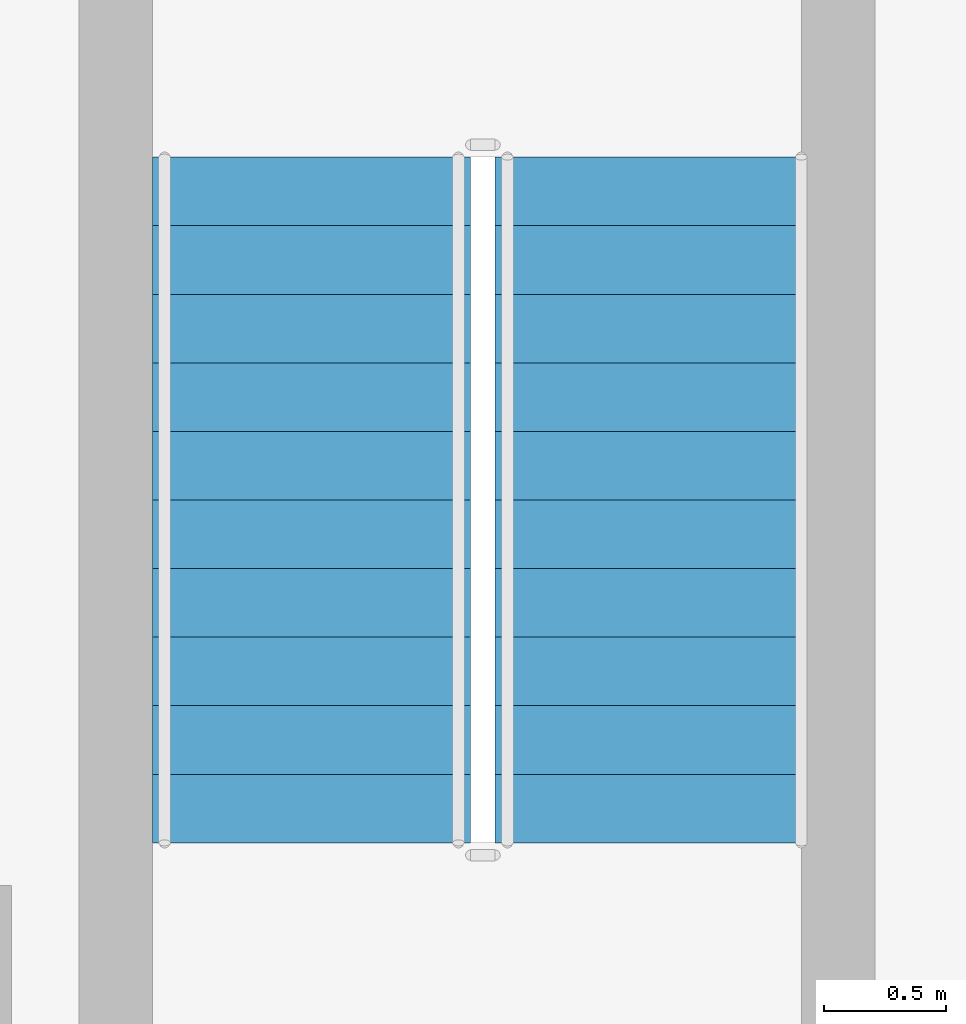
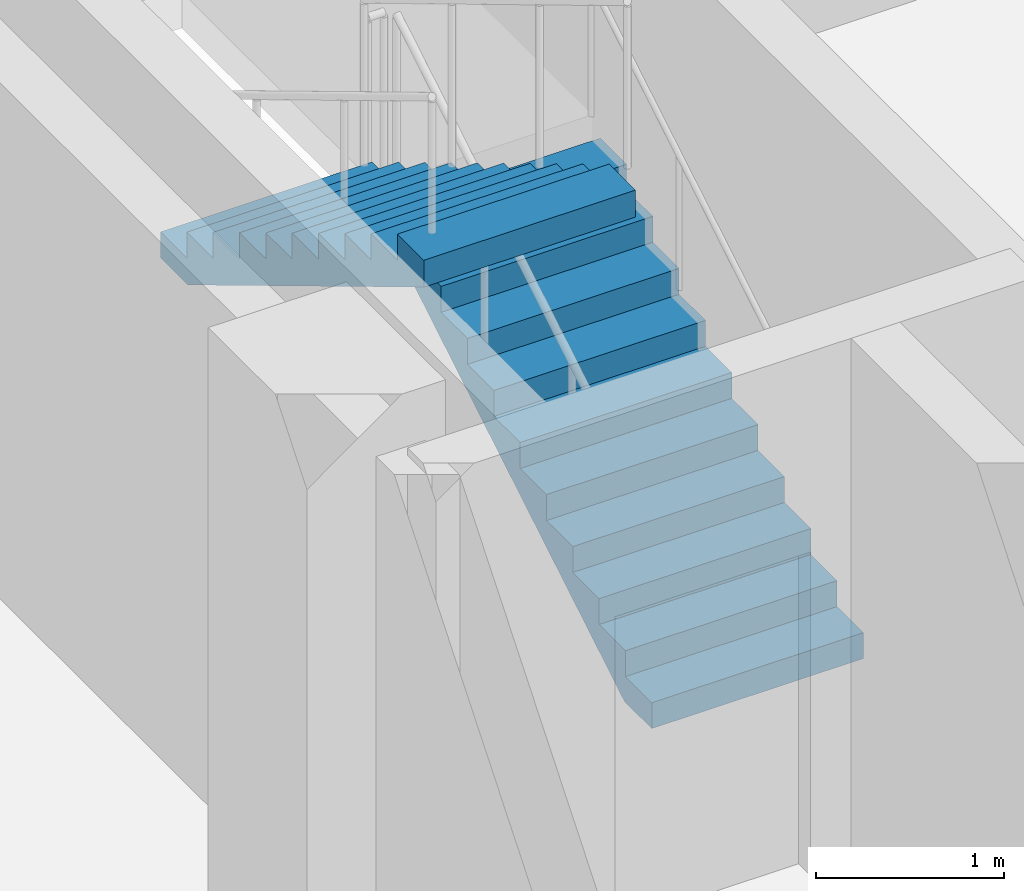
# One storey, part 16 of 22: 2 stair flights, 1 element without a shape of its own.
"""IFC4 building model written with IfcOpenShell, lengths in metres."""

from ifc_helpers import new_model, si_unit, direction, frame, origin, place, context, subcontext, project, spatial, triangles, source, transform, mapped, material, type_object, element, aggregate, save


model = new_model("IFC4")

# Units and contexts
model_context = context("Model", 3, precision=1e-05, world=origin(), true_north=direction((0.0, 1.0)))
body_context = subcontext(model_context, "Body", "Model", "MODEL_VIEW")
ifc_project = project(units=[si_unit("LENGTHUNIT", "METRE"), si_unit("AREAUNIT", "SQUARE_METRE"), si_unit("VOLUMEUNIT", "CUBIC_METRE"), si_unit("PLANEANGLEUNIT", "RADIAN"), si_unit("MASSUNIT", "GRAM", prefix="KILO")], contexts=[model_context])

# Site, building, storey
site_placement = place(None, origin())
site = spatial("IfcSite", under=ifc_project, at=site_placement, CompositionType="ELEMENT")
building_placement = place(site_placement, origin())
building = spatial("IfcBuilding", under=site, at=building_placement, Name="Ogive Portal Towers", CompositionType="ELEMENT")
storey_placement = place(building_placement, frame((0.0, 0.0, 131.5)))
storey = spatial("IfcBuildingStorey", under=building, at=storey_placement, Name="L32", CompositionType="ELEMENT", Elevation=131.5)

# Stair, stair flights
ifc_material = material(Name="Concrete C40/50", Category="concrete")
stair_type = type_object("IfcStairType", Name="INT-STAIR", PredefinedType="HALF_TURN_STAIR", material=ifc_material)
stair_placement = place(storey_placement, origin())
stair = element("IfcStair", 1, at=stair_placement, inside=storey, type_object=stair_type, Name="L32 Exit Stair ST-A3", PredefinedType="HALF_TURN_STAIR")
stair_flight_type = type_object("IfcStairFlightType", Name="INT-FLIGHT", PredefinedType="STRAIGHT", material=ifc_material)
shared_shape = source(origin(), body_context, "Body", "Tessellation", [
    triangles([(0.0, -0.650146484375, 0.0), (0.0, -0.376220703125, 0.0), (0.0, -0.192626953125, 0.0), (0.0, -0.081298828125, 0.0), (0.0, -0.024169921875, 0.0), (0.0, -0.003173828125, 0.0), (0.0, 0.0, 0.0), (0.0, 0.0029296875, 0.0), (0.0, 0.02392578125, 0.0), (0.0, 0.0810546875, 0.0), (0.0, 0.1923828125, 0.0), (0.0, 0.3759765625, 0.0), (0.0, 0.64990234375, 0.0), (0.0, -0.650146484375, 0.168212890625), (0.0, -0.376220703125, 0.168212890625), (0.0, -0.192626953125, 0.168212890625), (0.0, -0.081298828125, 0.168212890625), (0.0, -0.024169921875, 0.168212890625), (0.0, -0.003173828125, 0.168212890625), (0.0, 0.0, 0.168212890625), (0.0, 0.0029296875, 0.168212890625), (0.0, 0.02392578125, 0.168212890625), (0.0, 0.0810546875, 0.168212890625), (0.0, 0.1923828125, 0.168212890625), (0.0, 0.3759765625, 0.168212890625), (0.0, 0.64990234375, 0.168212890625), (0.280029296875, -0.650146484375, 0.168212890625), (0.280029296875, -0.376220703125, 0.168212890625), (0.280029296875, -0.192626953125, 0.168212890625), (0.280029296875, -0.081298828125, 0.168212890625), (0.280029296875, -0.024169921875, 0.168212890625), (0.280029296875, -0.003173828125, 0.168212890625), (0.280029296875, 0.0, 0.168212890625), (0.280029296875, 0.0029296875, 0.168212890625), (0.280029296875, 0.02392578125, 0.168212890625), (0.280029296875, 0.0810546875, 0.168212890625), (0.280029296875, 0.1923828125, 0.168212890625), (0.280029296875, 0.3759765625, 0.168212890625), (0.280029296875, 0.64990234375, 0.168212890625), (0.280029296875, -0.650146484375, 0.33642578125), (0.280029296875, -0.376220703125, 0.33642578125), (0.280029296875, -0.192626953125, 0.33642578125), (0.280029296875, -0.081298828125, 0.33642578125), (0.280029296875, -0.024169921875, 0.33642578125), (0.280029296875, -0.003173828125, 0.33642578125), (0.280029296875, 0.0, 0.33642578125), (0.280029296875, 0.0029296875, 0.33642578125), (0.280029296875, 0.02392578125, 0.33642578125), (0.280029296875, 0.0810546875, 0.33642578125), (0.280029296875, 0.1923828125, 0.33642578125), (0.280029296875, 0.3759765625, 0.33642578125), (0.280029296875, 0.64990234375, 0.33642578125), (0.56005859375, -0.650146484375, 0.33642578125), (0.56005859375, -0.376220703125, 0.33642578125), (0.56005859375, -0.192626953125, 0.33642578125), (0.56005859375, -0.081298828125, 0.33642578125), (0.56005859375, -0.024169921875, 0.33642578125), (0.56005859375, -0.003173828125, 0.33642578125), (0.56005859375, 0.0, 0.33642578125), (0.56005859375, 0.0029296875, 0.33642578125), (0.56005859375, 0.02392578125, 0.33642578125), (0.56005859375, 0.0810546875, 0.33642578125), (0.56005859375, 0.1923828125, 0.33642578125), (0.56005859375, 0.3759765625, 0.33642578125), (0.56005859375, 0.64990234375, 0.33642578125), (0.56005859375, -0.650146484375, 0.504638671875), (0.56005859375, -0.376220703125, 0.504638671875), (0.56005859375, -0.192626953125, 0.504638671875), (0.56005859375, -0.081298828125, 0.504638671875), (0.56005859375, -0.024169921875, 0.504638671875), (0.56005859375, -0.003173828125, 0.504638671875), (0.56005859375, 0.0, 0.504638671875), (0.56005859375, 0.0029296875, 0.504638671875), (0.56005859375, 0.02392578125, 0.504638671875), (0.56005859375, 0.0810546875, 0.504638671875), (0.56005859375, 0.1923828125, 0.504638671875), (0.56005859375, 0.3759765625, 0.504638671875), (0.56005859375, 0.64990234375, 0.504638671875), (0.840087890625, -0.650146484375, 0.504638671875), (0.840087890625, -0.376220703125, 0.504638671875), (0.840087890625, -0.192626953125, 0.504638671875), (0.840087890625, -0.081298828125, 0.504638671875), (0.840087890625, -0.024169921875, 0.504638671875), (0.840087890625, -0.003173828125, 0.504638671875), (0.840087890625, 0.0, 0.504638671875), (0.840087890625, 0.0029296875, 0.504638671875), (0.840087890625, 0.02392578125, 0.504638671875), (0.840087890625, 0.0810546875, 0.504638671875), (0.840087890625, 0.1923828125, 0.504638671875), (0.840087890625, 0.3759765625, 0.504638671875), (0.840087890625, 0.64990234375, 0.504638671875), (0.840087890625, -0.650146484375, 0.672607421875), (0.840087890625, -0.376220703125, 0.672607421875), (0.840087890625, -0.192626953125, 0.672607421875), (0.840087890625, -0.081298828125, 0.672607421875), (0.840087890625, -0.024169921875, 0.672607421875), (0.840087890625, -0.003173828125, 0.672607421875), (0.840087890625, 0.0, 0.672607421875), (0.840087890625, 0.0029296875, 0.672607421875), (0.840087890625, 0.02392578125, 0.672607421875), (0.840087890625, 0.0810546875, 0.672607421875), (0.840087890625, 0.1923828125, 0.672607421875), (0.840087890625, 0.3759765625, 0.672607421875), (0.840087890625, 0.64990234375, 0.672607421875), (1.1201171875, -0.650146484375, 0.672607421875), (1.1201171875, -0.376220703125, 0.672607421875), (1.1201171875, -0.192626953125, 0.672607421875), (1.1201171875, -0.081298828125, 0.672607421875), (1.1201171875, -0.024169921875, 0.672607421875), (1.1201171875, -0.003173828125, 0.672607421875), (1.1201171875, 0.0, 0.672607421875), (1.1201171875, 0.0029296875, 0.672607421875), (1.1201171875, 0.02392578125, 0.672607421875), (1.1201171875, 0.0810546875, 0.672607421875), (1.1201171875, 0.1923828125, 0.672607421875), (1.1201171875, 0.3759765625, 0.672607421875), (1.1201171875, 0.64990234375, 0.672607421875), (1.1201171875, -0.650146484375, 0.8408203125), (1.1201171875, -0.376220703125, 0.8408203125), (1.1201171875, -0.192626953125, 0.8408203125), (1.1201171875, -0.081298828125, 0.8408203125), (1.1201171875, -0.024169921875, 0.8408203125), (1.1201171875, -0.003173828125, 0.8408203125), (1.1201171875, 0.0, 0.8408203125), (1.1201171875, 0.0029296875, 0.8408203125), (1.1201171875, 0.02392578125, 0.8408203125), (1.1201171875, 0.0810546875, 0.8408203125), (1.1201171875, 0.1923828125, 0.8408203125), (1.1201171875, 0.3759765625, 0.8408203125), (1.1201171875, 0.64990234375, 0.8408203125), (1.39990234375, -0.650146484375, 0.8408203125), (1.39990234375, -0.376220703125, 0.8408203125), (1.39990234375, -0.192626953125, 0.8408203125), (1.39990234375, -0.081298828125, 0.8408203125), (1.39990234375, -0.024169921875, 0.8408203125), (1.39990234375, -0.003173828125, 0.8408203125), (1.39990234375, 0.0, 0.8408203125), (1.39990234375, 0.0029296875, 0.8408203125), (1.39990234375, 0.02392578125, 0.8408203125), (1.39990234375, 0.0810546875, 0.8408203125), (1.39990234375, 0.1923828125, 0.8408203125), (1.39990234375, 0.3759765625, 0.8408203125), (1.39990234375, 0.64990234375, 0.8408203125), (1.39990234375, -0.650146484375, 1.009033203125), (1.39990234375, -0.376220703125, 1.009033203125), (1.39990234375, -0.192626953125, 1.009033203125), (1.39990234375, -0.081298828125, 1.009033203125), (1.39990234375, -0.024169921875, 1.009033203125), (1.39990234375, -0.003173828125, 1.009033203125), (1.39990234375, 0.0, 1.009033203125), (1.39990234375, 0.0029296875, 1.009033203125), (1.39990234375, 0.02392578125, 1.009033203125), (1.39990234375, 0.0810546875, 1.009033203125), (1.39990234375, 0.1923828125, 1.009033203125), (1.39990234375, 0.3759765625, 1.009033203125), (1.39990234375, 0.64990234375, 1.009033203125), (1.679931640625, -0.650146484375, 1.009033203125), (1.679931640625, -0.376220703125, 1.009033203125), (1.679931640625, -0.192626953125, 1.009033203125), (1.679931640625, -0.081298828125, 1.009033203125), (1.679931640625, -0.024169921875, 1.009033203125), (1.679931640625, -0.003173828125, 1.009033203125), (1.679931640625, 0.0, 1.009033203125), (1.679931640625, 0.0029296875, 1.009033203125), (1.679931640625, 0.02392578125, 1.009033203125), (1.679931640625, 0.0810546875, 1.009033203125), (1.679931640625, 0.1923828125, 1.009033203125), (1.679931640625, 0.3759765625, 1.009033203125), (1.679931640625, 0.64990234375, 1.009033203125), (1.679931640625, -0.650146484375, 1.17724609375), (1.679931640625, -0.376220703125, 1.17724609375), (1.679931640625, -0.192626953125, 1.17724609375), (1.679931640625, -0.081298828125, 1.17724609375), (1.679931640625, -0.024169921875, 1.17724609375), (1.679931640625, -0.003173828125, 1.17724609375), (1.679931640625, 0.0, 1.17724609375), (1.679931640625, 0.0029296875, 1.17724609375), (1.679931640625, 0.02392578125, 1.17724609375), (1.679931640625, 0.0810546875, 1.17724609375), (1.679931640625, 0.1923828125, 1.17724609375), (1.679931640625, 0.3759765625, 1.17724609375), (1.679931640625, 0.64990234375, 1.17724609375), (1.9599609375, -0.650146484375, 1.17724609375), (1.9599609375, -0.376220703125, 1.17724609375), (1.9599609375, -0.192626953125, 1.17724609375), (1.9599609375, -0.081298828125, 1.17724609375), (1.9599609375, -0.024169921875, 1.17724609375), (1.9599609375, -0.003173828125, 1.17724609375), (1.9599609375, 0.0, 1.17724609375), (1.9599609375, 0.0029296875, 1.17724609375), (1.9599609375, 0.02392578125, 1.17724609375), (1.9599609375, 0.0810546875, 1.17724609375), (1.9599609375, 0.1923828125, 1.17724609375), (1.9599609375, 0.3759765625, 1.17724609375), (1.9599609375, 0.64990234375, 1.17724609375), (1.9599609375, -0.650146484375, 1.345458984375), (1.9599609375, -0.376220703125, 1.345458984375), (1.9599609375, -0.192626953125, 1.345458984375), (1.9599609375, -0.081298828125, 1.345458984375), (1.9599609375, -0.024169921875, 1.345458984375), (1.9599609375, -0.003173828125, 1.345458984375), (1.9599609375, 0.0, 1.345458984375), (1.9599609375, 0.0029296875, 1.345458984375), (1.9599609375, 0.02392578125, 1.345458984375), (1.9599609375, 0.0810546875, 1.345458984375), (1.9599609375, 0.1923828125, 1.345458984375), (1.9599609375, 0.3759765625, 1.345458984375), (1.9599609375, 0.64990234375, 1.345458984375), (2.239990234375, -0.650146484375, 1.345458984375), (2.239990234375, -0.376220703125, 1.345458984375), (2.239990234375, -0.192626953125, 1.345458984375), (2.239990234375, -0.081298828125, 1.345458984375), (2.239990234375, -0.024169921875, 1.345458984375), (2.239990234375, -0.003173828125, 1.345458984375), (2.239990234375, 0.0, 1.345458984375), (2.239990234375, 0.0029296875, 1.345458984375), (2.239990234375, 0.02392578125, 1.345458984375), (2.239990234375, 0.0810546875, 1.345458984375), (2.239990234375, 0.1923828125, 1.345458984375), (2.239990234375, 0.3759765625, 1.345458984375), (2.239990234375, 0.64990234375, 1.345458984375), (2.239990234375, -0.650146484375, 1.513671875), (2.239990234375, -0.376220703125, 1.513671875), (2.239990234375, -0.192626953125, 1.513671875), (2.239990234375, -0.081298828125, 1.513671875), (2.239990234375, -0.024169921875, 1.513671875), (2.239990234375, -0.003173828125, 1.513671875), (2.239990234375, 0.0, 1.513671875), (2.239990234375, 0.0029296875, 1.513671875), (2.239990234375, 0.02392578125, 1.513671875), (2.239990234375, 0.0810546875, 1.513671875), (2.239990234375, 0.1923828125, 1.513671875), (2.239990234375, 0.3759765625, 1.513671875), (2.239990234375, 0.64990234375, 1.513671875), (2.52001953125, -0.650146484375, 1.513671875), (2.52001953125, -0.376220703125, 1.513671875), (2.52001953125, -0.192626953125, 1.513671875), (2.52001953125, -0.081298828125, 1.513671875), (2.52001953125, -0.024169921875, 1.513671875), (2.52001953125, -0.003173828125, 1.513671875), (2.52001953125, 0.0, 1.513671875), (2.52001953125, 0.0029296875, 1.513671875), (2.52001953125, 0.02392578125, 1.513671875), (2.52001953125, 0.0810546875, 1.513671875), (2.52001953125, 0.1923828125, 1.513671875), (2.52001953125, 0.3759765625, 1.513671875), (2.52001953125, 0.64990234375, 1.513671875), (2.52001953125, -0.650146484375, 1.681884765625), (2.52001953125, -0.376220703125, 1.681884765625), (2.52001953125, -0.192626953125, 1.681884765625), (2.52001953125, -0.081298828125, 1.681884765625), (2.52001953125, -0.024169921875, 1.681884765625), (2.52001953125, -0.003173828125, 1.681884765625), (2.52001953125, 0.0, 1.681884765625), (2.52001953125, 0.0029296875, 1.681884765625), (2.52001953125, 0.02392578125, 1.681884765625), (2.52001953125, 0.0810546875, 1.681884765625), (2.52001953125, 0.1923828125, 1.681884765625), (2.52001953125, 0.3759765625, 1.681884765625), (2.52001953125, 0.64990234375, 1.681884765625), (2.800048828125, -0.650146484375, 1.681884765625), (2.800048828125, -0.376220703125, 1.681884765625), (2.800048828125, -0.192626953125, 1.681884765625), (2.800048828125, -0.081298828125, 1.681884765625), (2.800048828125, -0.024169921875, 1.681884765625), (2.800048828125, -0.003173828125, 1.681884765625), (2.800048828125, 0.0, 1.681884765625), (2.800048828125, 0.0029296875, 1.681884765625), (2.800048828125, 0.02392578125, 1.681884765625), (2.800048828125, 0.0810546875, 1.681884765625), (2.800048828125, 0.1923828125, 1.681884765625), (2.800048828125, 0.3759765625, 1.681884765625), (2.800048828125, 0.64990234375, 1.681884765625), (2.800048828125, -0.650146484375, 1.5068359375), (2.800048828125, -0.376220703125, 1.5068359375), (2.800048828125, -0.192626953125, 1.5068359375), (2.800048828125, -0.081298828125, 1.5068359375), (2.800048828125, -0.024169921875, 1.5068359375), (2.800048828125, -0.003173828125, 1.5068359375), (2.800048828125, 0.0, 1.5068359375), (2.800048828125, 0.0029296875, 1.5068359375), (2.800048828125, 0.02392578125, 1.5068359375), (2.800048828125, 0.0810546875, 1.5068359375), (2.800048828125, 0.1923828125, 1.5068359375), (2.800048828125, 0.3759765625, 1.5068359375), (2.800048828125, 0.64990234375, 1.5068359375), (0.291015625, -0.650146484375, 0.0), (0.291015625, -0.376220703125, 0.0), (0.291015625, -0.192626953125, 0.0), (0.291015625, -0.081298828125, 0.0), (0.291015625, -0.024169921875, 0.0), (0.291015625, -0.003173828125, 0.0), (0.291015625, 0.0, 0.0), (0.291015625, 0.0029296875, 0.0), (0.291015625, 0.02392578125, 0.0), (0.291015625, 0.0810546875, 0.0), (0.291015625, 0.1923828125, 0.0), (0.291015625, 0.3759765625, 0.0), (0.291015625, 0.64990234375, 0.0)], [[1, 14, 15], [1, 15, 2], [2, 15, 16], [2, 16, 3], [3, 16, 17], [3, 17, 4], [4, 17, 18], [4, 18, 5], [5, 18, 19], [5, 19, 6], [6, 19, 20], [6, 20, 7], [7, 20, 21], [7, 21, 8], [8, 21, 22], [8, 22, 9], [9, 22, 23], [9, 23, 10], [10, 23, 24], [10, 24, 11], [11, 24, 25], [11, 25, 12], [12, 25, 26], [12, 26, 13], [14, 27, 28], [14, 28, 15], [15, 28, 29], [15, 29, 16], [16, 29, 30], [16, 30, 17], [17, 30, 31], [17, 31, 18], [18, 31, 32], [18, 32, 19], [19, 32, 33], [19, 33, 20], [20, 33, 34], [20, 34, 21], [21, 34, 35], [21, 35, 22], [22, 35, 36], [22, 36, 23], [23, 36, 37], [23, 37, 24], [24, 37, 38], [24, 38, 25], [25, 38, 39], [25, 39, 26], [27, 40, 41], [27, 41, 28], [28, 41, 42], [28, 42, 29], [29, 42, 43], [29, 43, 30], [30, 43, 44], [30, 44, 31], [31, 44, 45], [31, 45, 32], [32, 45, 46], [32, 46, 33], [33, 46, 47], [33, 47, 34], [34, 47, 48], [34, 48, 35], [35, 48, 49], [35, 49, 36], [36, 49, 50], [36, 50, 37], [37, 50, 51], [37, 51, 38], [38, 51, 52], [38, 52, 39], [40, 53, 54], [40, 54, 41], [41, 54, 55], [41, 55, 42], [42, 55, 56], [42, 56, 43], [43, 56, 57], [43, 57, 44], [44, 57, 58], [44, 58, 45], [45, 58, 59], [45, 59, 46], [46, 59, 60], [46, 60, 47], [47, 60, 61], [47, 61, 48], [48, 61, 62], [48, 62, 49], [49, 62, 63], [49, 63, 50], [50, 63, 64], [50, 64, 51], [51, 64, 65], [51, 65, 52], [53, 66, 67], [53, 67, 54], [54, 67, 68], [54, 68, 55], [55, 68, 69], [55, 69, 56], [56, 69, 70], [56, 70, 57], [57, 70, 71], [57, 71, 58], [58, 71, 72], [58, 72, 59], [59, 72, 73], [59, 73, 60], [60, 73, 74], [60, 74, 61], [61, 74, 75], [61, 75, 62], [62, 75, 76], [62, 76, 63], [63, 76, 77], [63, 77, 64], [64, 77, 78], [64, 78, 65], [66, 79, 80], [66, 80, 67], [67, 80, 81], [67, 81, 68], [68, 81, 82], [68, 82, 69], [69, 82, 83], [69, 83, 70], [70, 83, 84], [70, 84, 71], [71, 84, 85], [71, 85, 72], [72, 85, 86], [72, 86, 73], [73, 86, 87], [73, 87, 74], [74, 87, 88], [74, 88, 75], [75, 88, 89], [75, 89, 76], [76, 89, 90], [76, 90, 77], [77, 90, 91], [77, 91, 78], [79, 92, 93], [79, 93, 80], [80, 93, 94], [80, 94, 81], [81, 94, 95], [81, 95, 82], [82, 95, 96], [82, 96, 83], [83, 96, 97], [83, 97, 84], [84, 97, 98], [84, 98, 85], [85, 98, 99], [85, 99, 86], [86, 99, 100], [86, 100, 87], [87, 100, 101], [87, 101, 88], [88, 101, 102], [88, 102, 89], [89, 102, 103], [89, 103, 90], [90, 103, 104], [90, 104, 91], [92, 105, 106], [92, 106, 93], [93, 106, 107], [93, 107, 94], [94, 107, 108], [94, 108, 95], [95, 108, 109], [95, 109, 96], [96, 109, 110], [96, 110, 97], [97, 110, 111], [97, 111, 98], [98, 111, 112], [98, 112, 99], [99, 112, 113], [99, 113, 100], [100, 113, 114], [100, 114, 101], [101, 114, 115], [101, 115, 102], [102, 115, 116], [102, 116, 103], [103, 116, 117], [103, 117, 104], [105, 118, 119], [105, 119, 106], [106, 119, 120], [106, 120, 107], [107, 120, 121], [107, 121, 108], [108, 121, 122], [108, 122, 109], [109, 122, 123], [109, 123, 110], [110, 123, 124], [110, 124, 111], [111, 124, 125], [111, 125, 112], [112, 125, 126], [112, 126, 113], [113, 126, 127], [113, 127, 114], [114, 127, 128], [114, 128, 115], [115, 128, 129], [115, 129, 116], [116, 129, 130], [116, 130, 117], [118, 131, 132], [118, 132, 119], [119, 132, 133], [119, 133, 120], [120, 133, 134], [120, 134, 121], [121, 134, 135], [121, 135, 122], [122, 135, 136], [122, 136, 123], [123, 136, 137], [123, 137, 124], [124, 137, 138], [124, 138, 125], [125, 138, 139], [125, 139, 126], [126, 139, 140], [126, 140, 127], [127, 140, 141], [127, 141, 128], [128, 141, 142], [128, 142, 129], [129, 142, 143], [129, 143, 130], [131, 144, 145], [131, 145, 132], [132, 145, 146], [132, 146, 133], [133, 146, 147], [133, 147, 134], [134, 147, 148], [134, 148, 135], [135, 148, 149], [135, 149, 136], [136, 149, 150], [136, 150, 137], [137, 150, 151], [137, 151, 138], [138, 151, 152], [138, 152, 139], [139, 152, 153], [139, 153, 140], [140, 153, 154], [140, 154, 141], [141, 154, 155], [141, 155, 142], [142, 155, 156], [142, 156, 143], [144, 157, 158], [144, 158, 145], [145, 158, 159], [145, 159, 146], [146, 159, 160], [146, 160, 147], [147, 160, 161], [147, 161, 148], [148, 161, 162], [148, 162, 149], [149, 162, 163], [149, 163, 150], [150, 163, 164], [150, 164, 151], [151, 164, 165], [151, 165, 152], [152, 165, 166], [152, 166, 153], [153, 166, 167], [153, 167, 154], [154, 167, 168], [154, 168, 155], [155, 168, 169], [155, 169, 156], [157, 170, 171], [157, 171, 158], [158, 171, 172], [158, 172, 159], [159, 172, 173], [159, 173, 160], [160, 173, 174], [160, 174, 161], [161, 174, 175], [161, 175, 162], [162, 175, 176], [162, 176, 163], [163, 176, 177], [163, 177, 164], [164, 177, 178], [164, 178, 165], [165, 178, 179], [165, 179, 166], [166, 179, 180], [166, 180, 167], [167, 180, 181], [167, 181, 168], [168, 181, 182], [168, 182, 169], [170, 183, 184], [170, 184, 171], [171, 184, 185], [171, 185, 172], [172, 185, 186], [172, 186, 173], [173, 186, 187], [173, 187, 174], [174, 187, 188], [174, 188, 175], [175, 188, 189], [175, 189, 176], [176, 189, 190], [176, 190, 177], [177, 190, 191], [177, 191, 178], [178, 191, 192], [178, 192, 179], [179, 192, 193], [179, 193, 180], [180, 193, 194], [180, 194, 181], [181, 194, 195], [181, 195, 182], [183, 196, 197], [183, 197, 184], [184, 197, 198], [184, 198, 185], [185, 198, 199], [185, 199, 186], [186, 199, 200], [186, 200, 187], [187, 200, 201], [187, 201, 188], [188, 201, 202], [188, 202, 189], [189, 202, 203], [189, 203, 190], [190, 203, 204], [190, 204, 191], [191, 204, 205], [191, 205, 192], [192, 205, 206], [192, 206, 193], [193, 206, 207], [193, 207, 194], [194, 207, 208], [194, 208, 195], [196, 209, 210], [196, 210, 197], [197, 210, 211], [197, 211, 198], [198, 211, 212], [198, 212, 199], [199, 212, 213], [199, 213, 200], [200, 213, 214], [200, 214, 201], [201, 214, 215], [201, 215, 202], [202, 215, 216], [202, 216, 203], [203, 216, 217], [203, 217, 204], [204, 217, 218], [204, 218, 205], [205, 218, 219], [205, 219, 206], [206, 219, 220], [206, 220, 207], [207, 220, 221], [207, 221, 208], [209, 222, 223], [209, 223, 210], [210, 223, 224], [210, 224, 211], [211, 224, 225], [211, 225, 212], [212, 225, 226], [212, 226, 213], [213, 226, 227], [213, 227, 214], [214, 227, 228], [214, 228, 215], [215, 228, 229], [215, 229, 216], [216, 229, 230], [216, 230, 217], [217, 230, 231], [217, 231, 218], [218, 231, 232], [218, 232, 219], [219, 232, 233], [219, 233, 220], [220, 233, 234], [220, 234, 221], [222, 235, 236], [222, 236, 223], [223, 236, 237], [223, 237, 224], [224, 237, 238], [224, 238, 225], [225, 238, 239], [225, 239, 226], [226, 239, 240], [226, 240, 227], [227, 240, 241], [227, 241, 228], [228, 241, 242], [228, 242, 229], [229, 242, 243], [229, 243, 230], [230, 243, 244], [230, 244, 231], [231, 244, 245], [231, 245, 232], [232, 245, 246], [232, 246, 233], [233, 246, 247], [233, 247, 234], [235, 248, 249], [235, 249, 236], [236, 249, 250], [236, 250, 237], [237, 250, 251], [237, 251, 238], [238, 251, 252], [238, 252, 239], [239, 252, 253], [239, 253, 240], [240, 253, 254], [240, 254, 241], [241, 254, 255], [241, 255, 242], [242, 255, 256], [242, 256, 243], [243, 256, 257], [243, 257, 244], [244, 257, 258], [244, 258, 245], [245, 258, 259], [245, 259, 246], [246, 259, 260], [246, 260, 247], [248, 261, 262], [248, 262, 249], [249, 262, 263], [249, 263, 250], [250, 263, 264], [250, 264, 251], [251, 264, 265], [251, 265, 252], [252, 265, 266], [252, 266, 253], [253, 266, 267], [253, 267, 254], [254, 267, 268], [254, 268, 255], [255, 268, 269], [255, 269, 256], [256, 269, 270], [256, 270, 257], [257, 270, 271], [257, 271, 258], [258, 271, 272], [258, 272, 259], [259, 272, 273], [259, 273, 260], [261, 274, 275], [261, 275, 262], [262, 275, 276], [262, 276, 263], [263, 276, 277], [263, 277, 264], [264, 277, 278], [264, 278, 265], [265, 278, 279], [265, 279, 266], [266, 279, 280], [266, 280, 267], [267, 280, 281], [267, 281, 268], [268, 281, 282], [268, 282, 269], [269, 282, 283], [269, 283, 270], [270, 283, 284], [270, 284, 271], [271, 284, 285], [271, 285, 272], [272, 285, 286], [272, 286, 273], [274, 287, 288], [274, 288, 275], [275, 288, 289], [275, 289, 276], [276, 289, 290], [276, 290, 277], [277, 290, 291], [277, 291, 278], [278, 291, 292], [278, 292, 279], [279, 292, 293], [279, 293, 280], [280, 293, 294], [280, 294, 281], [281, 294, 295], [281, 295, 282], [282, 295, 296], [282, 296, 283], [283, 296, 297], [283, 297, 284], [284, 297, 298], [284, 298, 285], [285, 298, 299], [285, 299, 286], [287, 1, 2], [287, 2, 288], [288, 2, 3], [288, 3, 289], [289, 3, 4], [289, 4, 290], [290, 4, 5], [290, 5, 291], [291, 5, 6], [291, 6, 292], [292, 6, 7], [292, 7, 293], [293, 7, 8], [293, 8, 294], [294, 8, 9], [294, 9, 295], [295, 9, 10], [295, 10, 296], [296, 10, 11], [296, 11, 297], [297, 11, 12], [297, 12, 298], [298, 12, 13], [298, 13, 299], [1, 287, 274], [13, 286, 299], [274, 261, 248], [286, 260, 273], [274, 248, 235], [286, 247, 260], [274, 235, 222], [286, 234, 247], [274, 222, 209], [286, 221, 234], [209, 196, 183], [221, 195, 208], [274, 209, 183], [286, 195, 221], [183, 170, 157], [195, 169, 182], [274, 183, 157], [286, 169, 195], [157, 144, 131], [169, 143, 156], [274, 157, 131], [286, 143, 169], [131, 118, 105], [143, 117, 130], [274, 131, 105], [286, 117, 143], [1, 274, 105], [13, 117, 286], [105, 92, 79], [117, 91, 104], [79, 66, 53], [91, 65, 78], [105, 79, 53], [117, 65, 91], [53, 40, 27], [65, 39, 52], [105, 53, 27], [117, 39, 65], [1, 105, 27], [13, 39, 117], [27, 14, 1], [39, 13, 26]], closed=True),
])
stair_flight_1_placement = place(storey_placement, frame((43.550048828125, 67.199951171875, 0.0), z_axis=(0.0, 0.0, 1.0), x_axis=(0.0, 1.0, 0.0)))
stair_flight_1 = element("IfcStairFlight", 2, at=stair_flight_1_placement, type_object=stair_flight_type, Name="ST-A3 flight 1", NumberOfRisers=11, NumberOfTreads=10, PredefinedType="STRAIGHT", RiserHeight=0.168181818, TreadLength=0.28, context=body_context, shape_type="MappedRepresentation", body=[
    mapped(shared_shape, transform((0.0, 0.0, 0.0), scale=1.0)),
])
stair_flight_2_placement = place(storey_placement, frame((42.14990234375, 70.0, 1.85009765625), z_axis=(0.0, 0.0, 1.0), x_axis=(0.0, -1.0, 0.0)))
stair_flight_2 = element("IfcStairFlight", 3, at=stair_flight_2_placement, type_object=stair_flight_type, Name="ST-A3 flight 2", NumberOfRisers=11, NumberOfTreads=10, PredefinedType="STRAIGHT", RiserHeight=0.168181818, TreadLength=0.28, context=body_context, shape_type="MappedRepresentation", body=[
    mapped(shared_shape, transform((0.0, 0.0, 0.0), scale=1.0)),
])
aggregate(stair, [stair_flight_1, stair_flight_2])

save(model, "model.ifc")
